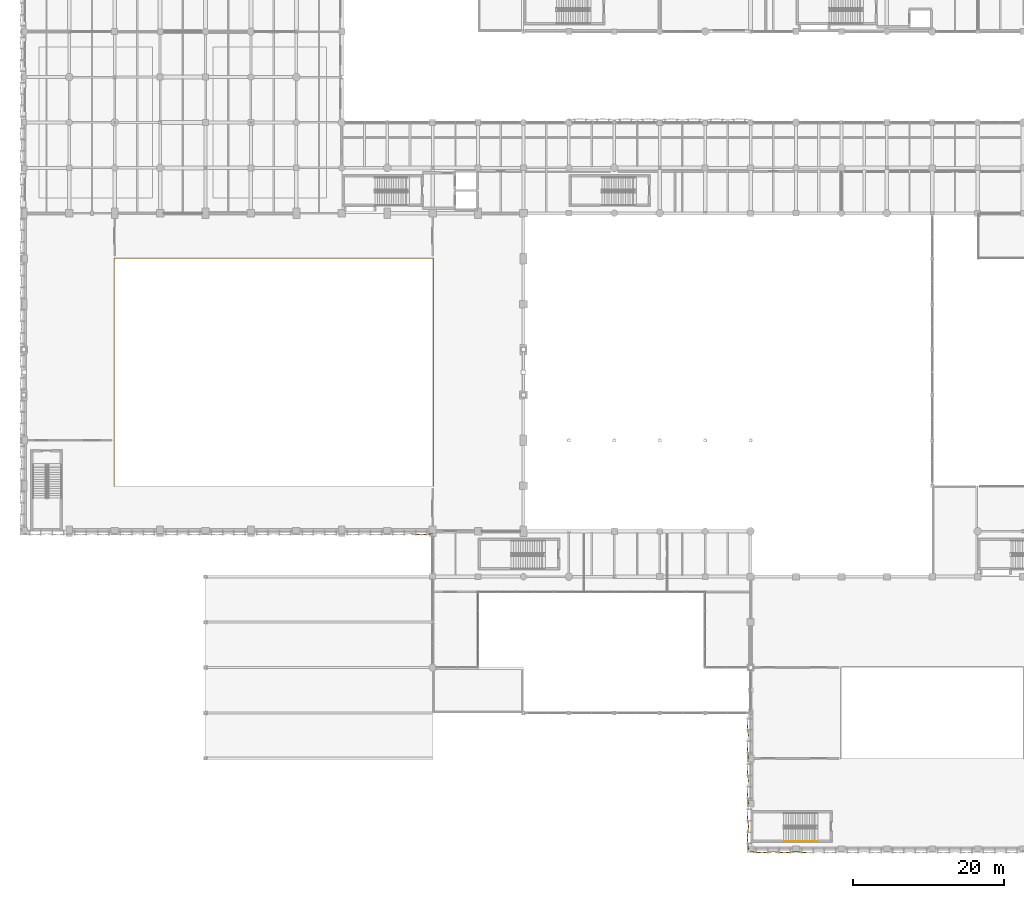
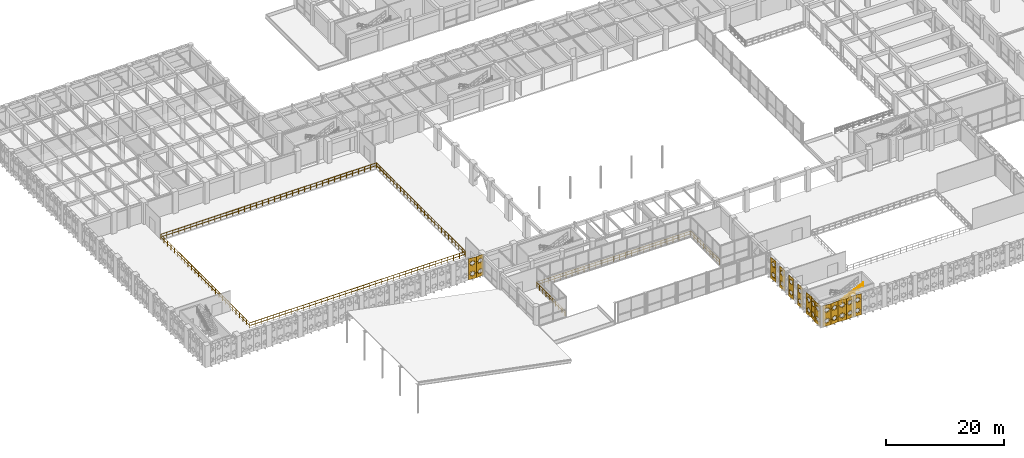
# One storey, part 122 of 133: 14 coverings, 3 railings.
"""IFC4 building model written with IfcOpenShell, lengths in metres."""

from ifc_helpers import new_model, si_unit, direction, frame, origin, origin_2d, place, context, subcontext, project, spatial, polyline, circle, outline, extrude, material, layer, layer_set, type_object, element, save


model = new_model("IFC4")

# Units and contexts
model_context = context("Model", 3, precision=1e-05, world=origin(), true_north=direction((0.0, 1.0)))
body_context = subcontext(model_context, "Body", "Model", "MODEL_VIEW")
ifc_project = project(units=[si_unit("LENGTHUNIT", "METRE"), si_unit("AREAUNIT", "SQUARE_METRE"), si_unit("VOLUMEUNIT", "CUBIC_METRE"), si_unit("PLANEANGLEUNIT", "RADIAN"), si_unit("MASSUNIT", "GRAM", prefix="KILO"), si_unit("THERMODYNAMICTEMPERATUREUNIT", "KELVIN"), si_unit("POWERUNIT", "WATT")], contexts=[model_context])

# Site, building, storey
site_placement = place(None, origin())
site = spatial("IfcSite", under=ifc_project, at=site_placement, CompositionType="ELEMENT")
building_placement = place(site_placement, origin())
building = spatial("IfcBuilding", under=site, at=building_placement, Name="Phaisarnlok Congress Hotel", CompositionType="ELEMENT")
storey_placement = place(building_placement, frame((0.0, 0.0, 6.0)))
storey = spatial("IfcBuildingStorey", under=building, at=storey_placement, Name="L01", CompositionType="ELEMENT", Elevation=6.0)

# Coverings
ifc_material_1 = material(Name="PVDF White Perforated Aluminium Alloy 5052", Category="aluminium")
ifc_layer = layer(ifc_material_1, 0.0400390625, Name="PVDF White Perforated Aluminium Alloy 5052")
ifc_layer_set = layer_set([ifc_layer], Name="PVDF White Perforated Aluminium Alloy 5052")
covering_type = type_object("IfcCoveringType", Name="COV-STAR-FOLD", PredefinedType="CLADDING", material=ifc_layer_set)
for number, where, z_axis, x_axis, name in (
    (1, (51.0, 41.699951171875, 0.06005859375), (-0.104566819602, -0.994517863207, 0.0), (0.994517863207, -0.104566819602, 0.0), "Folded star-perforated hall screen SS-02 (V1S L01)"),
    (2, (52.5, 41.542236328125, 0.06005859375), (0.104566819602, -0.994517863207, 0.0), (0.994517863207, 0.104566819602, 0.0), "Folded star-perforated hall screen SS-02 (V1S L01)"),
    (3, (96.0, -0.300048828125, 0.06005859375), (-0.104566819602, -0.994517863207, 0.0), (0.994517863207, -0.104566819602, 0.0), "Folded star-perforated hall screen SS-02 (V2S L01)"),
    (4, (97.5, -0.457763671875, 0.06005859375), (0.104566819602, -0.994517863207, 0.0), (0.994517863207, 0.104566819602, 0.0), "Folded star-perforated hall screen SS-02 (V2S L01)"),
    (5, (99.0, -0.300048828125, 0.06005859375), (-0.104566819602, -0.994517863207, 0.0), (0.994517863207, -0.104566819602, 0.0), "Folded star-perforated hall screen SS-02 (V2S L01)"),
    (6, (100.5, -0.457763671875, 0.06005859375), (0.104566819602, -0.994517863207, 0.0), (0.994517863207, 0.104566819602, 0.0), "Folded star-perforated hall screen SS-02 (V2S L01)"),
    (7, (102.0, -0.300048828125, 0.06005859375), (-0.104566819602, -0.994517863207, 0.0), (0.994517863207, -0.104566819602, 0.0), "Folded star-perforated hall screen SS-02 (V2S L01)"),
    (8, (95.699951171875, 0.0, 0.06005859375), (0.994517863207, 0.104566819602, 0.0), (-0.104566819602, 0.994517863207, 0.0), "Folded star-perforated hall screen SS-02 (V2W L01)"),
    (9, (95.542236328125, 1.5, 0.06005859375), (0.994517863207, -0.104566819602, 0.0), (0.104566819602, 0.994517863207, 0.0), "Folded star-perforated hall screen SS-02 (V2W L01)"),
    (10, (95.699951171875, 3.0, 0.06005859375), (0.994517863207, 0.104566819602, 0.0), (-0.104566819602, 0.994517863207, 0.0), "Folded star-perforated hall screen SS-02 (V2W L01)"),
    (11, (95.699951171875, 6.0, 0.06005859375), (0.994517863207, 0.104566819602, 0.0), (-0.104566819602, 0.994517863207, 0.0), "Folded star-perforated hall screen SS-02 (V2W L01)"),
    (12, (95.699951171875, 9.0, 0.06005859375), (0.994517863207, 0.104566819602, 0.0), (-0.104566819602, 0.994517863207, 0.0), "Folded star-perforated hall screen SS-02 (V2W L01)"),
    (13, (95.699951171875, 12.0, 0.06005859375), (0.994517863207, 0.104566819602, 0.0), (-0.104566819602, 0.994517863207, 0.0), "Folded star-perforated hall screen SS-02 (V2W L01)"),
    (14, (95.699951171875, 15.0, 0.06005859375), (0.994517863207, 0.104566819602, 0.0), (-0.104566819602, 0.994517863207, 0.0), "Folded star-perforated hall screen SS-02 (V2W L01)"),
):
    element("IfcCovering", number, at=place(storey_placement, frame(where, z_axis=z_axis, x_axis=x_axis)), inside=storey, type_object=covering_type, Name=name, PredefinedType="CLADDING", context=body_context, shape_type="SweptSolid", body=[
        extrude(outline(polyline([(0.0, 0.0), (1.5082685344258453, 0.0), (1.5082685344258453, 4.35986328125), (0.0, 4.35986328125), (0.0, 0.0)]), holes=[polyline([(1.0351, 0.9736), (1.2021, 0.6421), (0.8705, 0.8091), (0.7541, 0.4565), (0.6378, 0.8091), (0.3062, 0.6421), (0.4732, 0.9736), (0.1207, 1.09), (0.4732, 1.2064), (0.3062, 1.5379), (0.6378, 1.3709), (0.7541, 1.7235), (0.8705, 1.3709), (1.2021, 1.5379), (1.0351, 1.2064), (1.3876, 1.09), (1.0351, 0.9736)]), polyline([(1.0351, 3.1536), (1.2021, 2.8221), (0.8705, 2.9891), (0.7541, 2.6365), (0.6378, 2.9891), (0.3062, 2.8221), (0.4732, 3.1536), (0.1207, 3.27), (0.4732, 3.3864), (0.3062, 3.7179), (0.6378, 3.5509), (0.7541, 3.9035), (0.8705, 3.5509), (1.2021, 3.7179), (1.0351, 3.3864), (1.3876, 3.27), (1.0351, 3.1536)])]), origin(), (0.0, 0.0, 1.0), 0.0400390625),
    ])

# Railings
ifc_material_2 = material(Name="Laminated Glass & Stainless Steel Grade 316", Category="steel")
railing_type_1 = type_object("IfcRailingType", Name="RLG-INT-1100", PredefinedType="BALUSTRADE", material=ifc_material_2)
railing_1_placement = place(storey_placement, frame((54.080078125, 47.919921875, 0.0)))
element("IfcRailing", 15, at=railing_1_placement, inside=storey, type_object=railing_type_1, Name="Atrium gallery guard balustrade GD-02 (L01 v1)", PredefinedType="BALUSTRADE", context=body_context, shape_type="SweptSolid", body=[
    extrude(circle(Radius=0.02392578125, at=origin_2d()), frame((0.0, 0.0, 1.076171875), z_axis=(0.0, 1.0, 0.0), x_axis=(-1.0, 0.0, 0.0)), (0.0, 0.0, 1.0), 30.16015625),
    extrude(circle(Radius=0.02392578125, at=origin_2d()), frame((0.0, 0.0, 0.52587890625), z_axis=(0.0, 1.0, 0.0), x_axis=(-1.0, 0.0, 0.0)), (0.0, 0.0, 1.0), 30.16015625),
    extrude(circle(Radius=0.02392578125, at=origin_2d()), frame((0.0, 30.16015625, 1.076171875), z_axis=(-1.0, 0.0, 0.0), x_axis=(0.0, -1.0, 0.0)), (0.0, 0.0, 1.0), 42.16015625),
    extrude(circle(Radius=0.02392578125, at=origin_2d()), frame((0.0, 30.16015625, 0.52587890625), z_axis=(-1.0, 0.0, 0.0), x_axis=(0.0, -1.0, 0.0)), (0.0, 0.0, 1.0), 42.16015625),
    extrude(circle(Radius=0.02392578125, at=origin_2d()), frame((-42.16015625, 30.16015625, 1.076171875), z_axis=(0.0, -1.0, 0.0), x_axis=(1.0, 0.0, 0.0)), (0.0, 0.0, 1.0), 30.16015625),
    extrude(circle(Radius=0.02392578125, at=origin_2d()), frame((-42.16015625, 30.16015625, 0.52587890625), z_axis=(0.0, -1.0, 0.0), x_axis=(1.0, 0.0, 0.0)), (0.0, 0.0, 1.0), 30.16015625),
    extrude(circle(Radius=0.02392578125, at=origin_2d()), frame((-42.16015625, 0.0, 1.076171875), z_axis=(1.0, 0.0, 0.0), x_axis=(0.0, 1.0, 0.0)), (0.0, 0.0, 1.0), 42.16015625),
    extrude(circle(Radius=0.02392578125, at=origin_2d()), frame((-42.16015625, 0.0, 0.52587890625), z_axis=(1.0, 0.0, 0.0), x_axis=(0.0, 1.0, 0.0)), (0.0, 0.0, 1.0), 42.16015625),
    extrude(circle(Radius=0.02099609375, at=origin_2d()), origin(), (0.0, 0.0, 1.0), 1.052001953125),
    extrude(circle(Radius=0.02099609375, at=origin_2d()), frame((0.0, 1.159912109375, 0.0)), (0.0, 0.0, 1.0), 1.052001953125),
    extrude(circle(Radius=0.02099609375, at=origin_2d()), frame((0.0, 2.320068359375, 0.0)), (0.0, 0.0, 1.0), 1.052001953125),
    extrude(circle(Radius=0.02099609375, at=origin_2d()), frame((0.0, 3.47998046875, 0.0)), (0.0, 0.0, 1.0), 1.052001953125),
    extrude(circle(Radius=0.02099609375, at=origin_2d()), frame((0.0, 4.64013671875, 0.0)), (0.0, 0.0, 1.0), 1.052001953125),
    extrude(circle(Radius=0.02099609375, at=origin_2d()), frame((0.0, 5.800048828125, 0.0)), (0.0, 0.0, 1.0), 1.052001953125),
    extrude(circle(Radius=0.02099609375, at=origin_2d()), frame((0.0, 6.9599609375, 0.0)), (0.0, 0.0, 1.0), 1.052001953125),
    extrude(circle(Radius=0.02099609375, at=origin_2d()), frame((0.0, 8.1201171875, 0.0)), (0.0, 0.0, 1.0), 1.052001953125),
    extrude(circle(Radius=0.02099609375, at=origin_2d()), frame((0.0, 9.280029296875, 0.0)), (0.0, 0.0, 1.0), 1.052001953125),
    extrude(circle(Radius=0.02099609375, at=origin_2d()), frame((0.0, 10.43994140625, 0.0)), (0.0, 0.0, 1.0), 1.052001953125),
    extrude(circle(Radius=0.02099609375, at=origin_2d()), frame((0.0, 11.60009765625, 0.0)), (0.0, 0.0, 1.0), 1.052001953125),
    extrude(circle(Radius=0.02099609375, at=origin_2d()), frame((0.0, 12.760009765625, 0.0)), (0.0, 0.0, 1.0), 1.052001953125),
    extrude(circle(Radius=0.02099609375, at=origin_2d()), frame((0.0, 13.920166015625, 0.0)), (0.0, 0.0, 1.0), 1.052001953125),
    extrude(circle(Radius=0.02099609375, at=origin_2d()), frame((0.0, 15.080078125, 0.0)), (0.0, 0.0, 1.0), 1.052001953125),
    extrude(circle(Radius=0.02099609375, at=origin_2d()), frame((0.0, 16.239990234375, 0.0)), (0.0, 0.0, 1.0), 1.052001953125),
    extrude(circle(Radius=0.02099609375, at=origin_2d()), frame((0.0, 17.400146484375, 0.0)), (0.0, 0.0, 1.0), 1.052001953125),
    extrude(circle(Radius=0.02099609375, at=origin_2d()), frame((0.0, 18.56005859375, 0.0)), (0.0, 0.0, 1.0), 1.052001953125),
    extrude(circle(Radius=0.02099609375, at=origin_2d()), frame((0.0, 19.72021484375, 0.0)), (0.0, 0.0, 1.0), 1.052001953125),
    extrude(circle(Radius=0.02099609375, at=origin_2d()), frame((0.0, 20.880126953125, 0.0)), (0.0, 0.0, 1.0), 1.052001953125),
    extrude(circle(Radius=0.02099609375, at=origin_2d()), frame((0.0, 22.0400390625, 0.0)), (0.0, 0.0, 1.0), 1.052001953125),
    extrude(circle(Radius=0.02099609375, at=origin_2d()), frame((0.0, 23.2001953125, 0.0)), (0.0, 0.0, 1.0), 1.052001953125),
    extrude(circle(Radius=0.02099609375, at=origin_2d()), frame((0.0, 24.360107421875, 0.0)), (0.0, 0.0, 1.0), 1.052001953125),
    extrude(circle(Radius=0.02099609375, at=origin_2d()), frame((0.0, 25.52001953125, 0.0)), (0.0, 0.0, 1.0), 1.052001953125),
    extrude(circle(Radius=0.02099609375, at=origin_2d()), frame((0.0, 26.68017578125, 0.0)), (0.0, 0.0, 1.0), 1.052001953125),
    extrude(circle(Radius=0.02099609375, at=origin_2d()), frame((0.0, 27.840087890625, 0.0)), (0.0, 0.0, 1.0), 1.052001953125),
    extrude(circle(Radius=0.02099609375, at=origin_2d()), frame((0.0, 29.000244140625, 0.0)), (0.0, 0.0, 1.0), 1.052001953125),
    extrude(circle(Radius=0.02099609375, at=origin_2d()), frame((0.0, 30.16015625, 0.0)), (0.0, 0.0, 1.0), 1.052001953125),
    extrude(circle(Radius=0.02099609375, at=origin_2d()), frame((-1.171142578125, 30.16015625, 0.0)), (0.0, 0.0, 1.0), 1.052001953125),
    extrude(circle(Radius=0.02099609375, at=origin_2d()), frame((-2.34228515625, 30.16015625, 0.0)), (0.0, 0.0, 1.0), 1.052001953125),
    extrude(circle(Radius=0.02099609375, at=origin_2d()), frame((-3.513427734375, 30.16015625, 0.0)), (0.0, 0.0, 1.0), 1.052001953125),
    extrude(circle(Radius=0.02099609375, at=origin_2d()), frame((-4.6845703125, 30.16015625, 0.0)), (0.0, 0.0, 1.0), 1.052001953125),
    extrude(circle(Radius=0.02099609375, at=origin_2d()), frame((-5.85546875, 30.16015625, 0.0)), (0.0, 0.0, 1.0), 1.052001953125),
    extrude(circle(Radius=0.02099609375, at=origin_2d()), frame((-7.026611328125, 30.16015625, 0.0)), (0.0, 0.0, 1.0), 1.052001953125),
    extrude(circle(Radius=0.02099609375, at=origin_2d()), frame((-8.19775390625, 30.16015625, 0.0)), (0.0, 0.0, 1.0), 1.052001953125),
    extrude(circle(Radius=0.02099609375, at=origin_2d()), frame((-9.368896484375, 30.16015625, 0.0)), (0.0, 0.0, 1.0), 1.052001953125),
    extrude(circle(Radius=0.02099609375, at=origin_2d()), frame((-10.5400390625, 30.16015625, 0.0)), (0.0, 0.0, 1.0), 1.052001953125),
    extrude(circle(Radius=0.02099609375, at=origin_2d()), frame((-11.711181640625, 30.16015625, 0.0)), (0.0, 0.0, 1.0), 1.052001953125),
    extrude(circle(Radius=0.02099609375, at=origin_2d()), frame((-12.88232421875, 30.16015625, 0.0)), (0.0, 0.0, 1.0), 1.052001953125),
    extrude(circle(Radius=0.02099609375, at=origin_2d()), frame((-14.053466796875, 30.16015625, 0.0)), (0.0, 0.0, 1.0), 1.052001953125),
    extrude(circle(Radius=0.02099609375, at=origin_2d()), frame((-15.224609375, 30.16015625, 0.0)), (0.0, 0.0, 1.0), 1.052001953125),
    extrude(circle(Radius=0.02099609375, at=origin_2d()), frame((-16.3955078125, 30.16015625, 0.0)), (0.0, 0.0, 1.0), 1.052001953125),
    extrude(circle(Radius=0.02099609375, at=origin_2d()), frame((-17.566650390625, 30.16015625, 0.0)), (0.0, 0.0, 1.0), 1.052001953125),
    extrude(circle(Radius=0.02099609375, at=origin_2d()), frame((-18.73779296875, 30.16015625, 0.0)), (0.0, 0.0, 1.0), 1.052001953125),
    extrude(circle(Radius=0.02099609375, at=origin_2d()), frame((-19.908935546875, 30.16015625, 0.0)), (0.0, 0.0, 1.0), 1.052001953125),
    extrude(circle(Radius=0.02099609375, at=origin_2d()), frame((-21.080078125, 30.16015625, 0.0)), (0.0, 0.0, 1.0), 1.052001953125),
    extrude(circle(Radius=0.02099609375, at=origin_2d()), frame((-22.251220703125, 30.16015625, 0.0)), (0.0, 0.0, 1.0), 1.052001953125),
    extrude(circle(Radius=0.02099609375, at=origin_2d()), frame((-23.42236328125, 30.16015625, 0.0)), (0.0, 0.0, 1.0), 1.052001953125),
    extrude(circle(Radius=0.02099609375, at=origin_2d()), frame((-24.593505859375, 30.16015625, 0.0)), (0.0, 0.0, 1.0), 1.052001953125),
    extrude(circle(Radius=0.02099609375, at=origin_2d()), frame((-25.7646484375, 30.16015625, 0.0)), (0.0, 0.0, 1.0), 1.052001953125),
    extrude(circle(Radius=0.02099609375, at=origin_2d()), frame((-26.935546875, 30.16015625, 0.0)), (0.0, 0.0, 1.0), 1.052001953125),
    extrude(circle(Radius=0.02099609375, at=origin_2d()), frame((-28.106689453125, 30.16015625, 0.0)), (0.0, 0.0, 1.0), 1.052001953125),
    extrude(circle(Radius=0.02099609375, at=origin_2d()), frame((-29.27783203125, 30.16015625, 0.0)), (0.0, 0.0, 1.0), 1.052001953125),
    extrude(circle(Radius=0.02099609375, at=origin_2d()), frame((-30.448974609375, 30.16015625, 0.0)), (0.0, 0.0, 1.0), 1.052001953125),
    extrude(circle(Radius=0.02099609375, at=origin_2d()), frame((-31.6201171875, 30.16015625, 0.0)), (0.0, 0.0, 1.0), 1.052001953125),
    extrude(circle(Radius=0.02099609375, at=origin_2d()), frame((-32.791259765625, 30.16015625, 0.0)), (0.0, 0.0, 1.0), 1.052001953125),
    extrude(circle(Radius=0.02099609375, at=origin_2d()), frame((-33.96240234375, 30.16015625, 0.0)), (0.0, 0.0, 1.0), 1.052001953125),
    extrude(circle(Radius=0.02099609375, at=origin_2d()), frame((-35.133544921875, 30.16015625, 0.0)), (0.0, 0.0, 1.0), 1.052001953125),
    extrude(circle(Radius=0.02099609375, at=origin_2d()), frame((-36.3046875, 30.16015625, 0.0)), (0.0, 0.0, 1.0), 1.052001953125),
    extrude(circle(Radius=0.02099609375, at=origin_2d()), frame((-37.4755859375, 30.16015625, 0.0)), (0.0, 0.0, 1.0), 1.052001953125),
    extrude(circle(Radius=0.02099609375, at=origin_2d()), frame((-38.646728515625, 30.16015625, 0.0)), (0.0, 0.0, 1.0), 1.052001953125),
    extrude(circle(Radius=0.02099609375, at=origin_2d()), frame((-39.81787109375, 30.16015625, 0.0)), (0.0, 0.0, 1.0), 1.052001953125),
    extrude(circle(Radius=0.02099609375, at=origin_2d()), frame((-40.989013671875, 30.16015625, 0.0)), (0.0, 0.0, 1.0), 1.052001953125),
    extrude(circle(Radius=0.02099609375, at=origin_2d()), frame((-42.16015625, 30.16015625, 0.0)), (0.0, 0.0, 1.0), 1.052001953125),
    extrude(circle(Radius=0.02099609375, at=origin_2d()), frame((-42.16015625, 29.000244140625, 0.0)), (0.0, 0.0, 1.0), 1.052001953125),
    extrude(circle(Radius=0.02099609375, at=origin_2d()), frame((-42.16015625, 27.840087890625, 0.0)), (0.0, 0.0, 1.0), 1.052001953125),
    extrude(circle(Radius=0.02099609375, at=origin_2d()), frame((-42.16015625, 26.68017578125, 0.0)), (0.0, 0.0, 1.0), 1.052001953125),
    extrude(circle(Radius=0.02099609375, at=origin_2d()), frame((-42.16015625, 25.52001953125, 0.0)), (0.0, 0.0, 1.0), 1.052001953125),
    extrude(circle(Radius=0.02099609375, at=origin_2d()), frame((-42.16015625, 24.360107421875, 0.0)), (0.0, 0.0, 1.0), 1.052001953125),
    extrude(circle(Radius=0.02099609375, at=origin_2d()), frame((-42.16015625, 23.2001953125, 0.0)), (0.0, 0.0, 1.0), 1.052001953125),
    extrude(circle(Radius=0.02099609375, at=origin_2d()), frame((-42.16015625, 22.0400390625, 0.0)), (0.0, 0.0, 1.0), 1.052001953125),
    extrude(circle(Radius=0.02099609375, at=origin_2d()), frame((-42.16015625, 20.880126953125, 0.0)), (0.0, 0.0, 1.0), 1.052001953125),
    extrude(circle(Radius=0.02099609375, at=origin_2d()), frame((-42.16015625, 19.72021484375, 0.0)), (0.0, 0.0, 1.0), 1.052001953125),
    extrude(circle(Radius=0.02099609375, at=origin_2d()), frame((-42.16015625, 18.56005859375, 0.0)), (0.0, 0.0, 1.0), 1.052001953125),
    extrude(circle(Radius=0.02099609375, at=origin_2d()), frame((-42.16015625, 17.400146484375, 0.0)), (0.0, 0.0, 1.0), 1.052001953125),
    extrude(circle(Radius=0.02099609375, at=origin_2d()), frame((-42.16015625, 16.239990234375, 0.0)), (0.0, 0.0, 1.0), 1.052001953125),
    extrude(circle(Radius=0.02099609375, at=origin_2d()), frame((-42.16015625, 15.080078125, 0.0)), (0.0, 0.0, 1.0), 1.052001953125),
    extrude(circle(Radius=0.02099609375, at=origin_2d()), frame((-42.16015625, 13.920166015625, 0.0)), (0.0, 0.0, 1.0), 1.052001953125),
    extrude(circle(Radius=0.02099609375, at=origin_2d()), frame((-42.16015625, 12.760009765625, 0.0)), (0.0, 0.0, 1.0), 1.052001953125),
    extrude(circle(Radius=0.02099609375, at=origin_2d()), frame((-42.16015625, 11.60009765625, 0.0)), (0.0, 0.0, 1.0), 1.052001953125),
    extrude(circle(Radius=0.02099609375, at=origin_2d()), frame((-42.16015625, 10.43994140625, 0.0)), (0.0, 0.0, 1.0), 1.052001953125),
    extrude(circle(Radius=0.02099609375, at=origin_2d()), frame((-42.16015625, 9.280029296875, 0.0)), (0.0, 0.0, 1.0), 1.052001953125),
    extrude(circle(Radius=0.02099609375, at=origin_2d()), frame((-42.16015625, 8.1201171875, 0.0)), (0.0, 0.0, 1.0), 1.052001953125),
    extrude(circle(Radius=0.02099609375, at=origin_2d()), frame((-42.16015625, 6.9599609375, 0.0)), (0.0, 0.0, 1.0), 1.052001953125),
    extrude(circle(Radius=0.02099609375, at=origin_2d()), frame((-42.16015625, 5.800048828125, 0.0)), (0.0, 0.0, 1.0), 1.052001953125),
    extrude(circle(Radius=0.02099609375, at=origin_2d()), frame((-42.16015625, 4.64013671875, 0.0)), (0.0, 0.0, 1.0), 1.052001953125),
    extrude(circle(Radius=0.02099609375, at=origin_2d()), frame((-42.16015625, 3.47998046875, 0.0)), (0.0, 0.0, 1.0), 1.052001953125),
    extrude(circle(Radius=0.02099609375, at=origin_2d()), frame((-42.16015625, 2.320068359375, 0.0)), (0.0, 0.0, 1.0), 1.052001953125),
    extrude(circle(Radius=0.02099609375, at=origin_2d()), frame((-42.16015625, 1.159912109375, 0.0)), (0.0, 0.0, 1.0), 1.052001953125),
    extrude(circle(Radius=0.02099609375, at=origin_2d()), frame((-42.16015625, 0.0, 0.0)), (0.0, 0.0, 1.0), 1.052001953125),
    extrude(circle(Radius=0.02099609375, at=origin_2d()), frame((-40.989013671875, 0.0, 0.0)), (0.0, 0.0, 1.0), 1.052001953125),
    extrude(circle(Radius=0.02099609375, at=origin_2d()), frame((-39.81787109375, 0.0, 0.0)), (0.0, 0.0, 1.0), 1.052001953125),
    extrude(circle(Radius=0.02099609375, at=origin_2d()), frame((-38.646728515625, 0.0, 0.0)), (0.0, 0.0, 1.0), 1.052001953125),
    extrude(circle(Radius=0.02099609375, at=origin_2d()), frame((-37.4755859375, 0.0, 0.0)), (0.0, 0.0, 1.0), 1.052001953125),
    extrude(circle(Radius=0.02099609375, at=origin_2d()), frame((-36.3046875, 0.0, 0.0)), (0.0, 0.0, 1.0), 1.052001953125),
    extrude(circle(Radius=0.02099609375, at=origin_2d()), frame((-35.133544921875, 0.0, 0.0)), (0.0, 0.0, 1.0), 1.052001953125),
    extrude(circle(Radius=0.02099609375, at=origin_2d()), frame((-33.96240234375, 0.0, 0.0)), (0.0, 0.0, 1.0), 1.052001953125),
    extrude(circle(Radius=0.02099609375, at=origin_2d()), frame((-32.791259765625, 0.0, 0.0)), (0.0, 0.0, 1.0), 1.052001953125),
    extrude(circle(Radius=0.02099609375, at=origin_2d()), frame((-31.6201171875, 0.0, 0.0)), (0.0, 0.0, 1.0), 1.052001953125),
    extrude(circle(Radius=0.02099609375, at=origin_2d()), frame((-30.448974609375, 0.0, 0.0)), (0.0, 0.0, 1.0), 1.052001953125),
    extrude(circle(Radius=0.02099609375, at=origin_2d()), frame((-29.27783203125, 0.0, 0.0)), (0.0, 0.0, 1.0), 1.052001953125),
    extrude(circle(Radius=0.02099609375, at=origin_2d()), frame((-28.106689453125, 0.0, 0.0)), (0.0, 0.0, 1.0), 1.052001953125),
    extrude(circle(Radius=0.02099609375, at=origin_2d()), frame((-26.935546875, 0.0, 0.0)), (0.0, 0.0, 1.0), 1.052001953125),
    extrude(circle(Radius=0.02099609375, at=origin_2d()), frame((-25.7646484375, 0.0, 0.0)), (0.0, 0.0, 1.0), 1.052001953125),
    extrude(circle(Radius=0.02099609375, at=origin_2d()), frame((-24.593505859375, 0.0, 0.0)), (0.0, 0.0, 1.0), 1.052001953125),
    extrude(circle(Radius=0.02099609375, at=origin_2d()), frame((-23.42236328125, 0.0, 0.0)), (0.0, 0.0, 1.0), 1.052001953125),
    extrude(circle(Radius=0.02099609375, at=origin_2d()), frame((-22.251220703125, 0.0, 0.0)), (0.0, 0.0, 1.0), 1.052001953125),
    extrude(circle(Radius=0.02099609375, at=origin_2d()), frame((-21.080078125, 0.0, 0.0)), (0.0, 0.0, 1.0), 1.052001953125),
    extrude(circle(Radius=0.02099609375, at=origin_2d()), frame((-19.908935546875, 0.0, 0.0)), (0.0, 0.0, 1.0), 1.052001953125),
    extrude(circle(Radius=0.02099609375, at=origin_2d()), frame((-18.73779296875, 0.0, 0.0)), (0.0, 0.0, 1.0), 1.052001953125),
    extrude(circle(Radius=0.02099609375, at=origin_2d()), frame((-17.566650390625, 0.0, 0.0)), (0.0, 0.0, 1.0), 1.052001953125),
    extrude(circle(Radius=0.02099609375, at=origin_2d()), frame((-16.3955078125, 0.0, 0.0)), (0.0, 0.0, 1.0), 1.052001953125),
    extrude(circle(Radius=0.02099609375, at=origin_2d()), frame((-15.224609375, 0.0, 0.0)), (0.0, 0.0, 1.0), 1.052001953125),
    extrude(circle(Radius=0.02099609375, at=origin_2d()), frame((-14.053466796875, 0.0, 0.0)), (0.0, 0.0, 1.0), 1.052001953125),
    extrude(circle(Radius=0.02099609375, at=origin_2d()), frame((-12.88232421875, 0.0, 0.0)), (0.0, 0.0, 1.0), 1.052001953125),
    extrude(circle(Radius=0.02099609375, at=origin_2d()), frame((-11.711181640625, 0.0, 0.0)), (0.0, 0.0, 1.0), 1.052001953125),
    extrude(circle(Radius=0.02099609375, at=origin_2d()), frame((-10.5400390625, 0.0, 0.0)), (0.0, 0.0, 1.0), 1.052001953125),
    extrude(circle(Radius=0.02099609375, at=origin_2d()), frame((-9.368896484375, 0.0, 0.0)), (0.0, 0.0, 1.0), 1.052001953125),
    extrude(circle(Radius=0.02099609375, at=origin_2d()), frame((-8.19775390625, 0.0, 0.0)), (0.0, 0.0, 1.0), 1.052001953125),
    extrude(circle(Radius=0.02099609375, at=origin_2d()), frame((-7.026611328125, 0.0, 0.0)), (0.0, 0.0, 1.0), 1.052001953125),
    extrude(circle(Radius=0.02099609375, at=origin_2d()), frame((-5.85546875, 0.0, 0.0)), (0.0, 0.0, 1.0), 1.052001953125),
    extrude(circle(Radius=0.02099609375, at=origin_2d()), frame((-4.6845703125, 0.0, 0.0)), (0.0, 0.0, 1.0), 1.052001953125),
    extrude(circle(Radius=0.02099609375, at=origin_2d()), frame((-3.513427734375, 0.0, 0.0)), (0.0, 0.0, 1.0), 1.052001953125),
    extrude(circle(Radius=0.02099609375, at=origin_2d()), frame((-2.34228515625, 0.0, 0.0)), (0.0, 0.0, 1.0), 1.052001953125),
    extrude(circle(Radius=0.02099609375, at=origin_2d()), frame((-1.171142578125, 0.0, 0.0)), (0.0, 0.0, 1.0), 1.052001953125),
])
railing_2_placement = place(storey_placement, frame((90.080078125, 24.360107421875, 0.0)))
element("IfcRailing", 16, at=railing_2_placement, inside=storey, type_object=railing_type_1, Name="Atrium gallery guard balustrade GD-02 (L01 v4_s)", PredefinedType="BALUSTRADE", context=body_context, shape_type="SweptSolid", body=[
    extrude(circle(Radius=0.02392578125, at=origin_2d()), frame((0.0, 0.0, 1.076171875), z_axis=(0.0, 1.0, 0.0), x_axis=(-1.0, 0.0, 0.0)), (0.0, 0.0, 1.0), 9.719970703125),
    extrude(circle(Radius=0.02392578125, at=origin_2d()), frame((0.0, 0.0, 0.52587890625), z_axis=(0.0, 1.0, 0.0), x_axis=(-1.0, 0.0, 0.0)), (0.0, 0.0, 1.0), 9.719970703125),
    extrude(circle(Radius=0.02392578125, at=origin_2d()), frame((0.0, 9.719970703125, 1.076171875), z_axis=(-1.0, 0.0, 0.0), x_axis=(0.0, -1.0, 0.0)), (0.0, 0.0, 1.0), 30.16015625),
    extrude(circle(Radius=0.02392578125, at=origin_2d()), frame((0.0, 9.719970703125, 0.52587890625), z_axis=(-1.0, 0.0, 0.0), x_axis=(0.0, -1.0, 0.0)), (0.0, 0.0, 1.0), 30.16015625),
    extrude(circle(Radius=0.02392578125, at=origin_2d()), frame((-30.16015625, 9.719970703125, 1.076171875), z_axis=(0.0, -1.0, 0.0), x_axis=(1.0, 0.0, 0.0)), (0.0, 0.0, 1.0), 9.719970703125),
    extrude(circle(Radius=0.02392578125, at=origin_2d()), frame((-30.16015625, 9.719970703125, 0.52587890625), z_axis=(0.0, -1.0, 0.0), x_axis=(1.0, 0.0, 0.0)), (0.0, 0.0, 1.0), 9.719970703125),
    extrude(circle(Radius=0.02099609375, at=origin_2d()), origin(), (0.0, 0.0, 1.0), 1.052001953125),
    extrude(circle(Radius=0.02099609375, at=origin_2d()), frame((0.0, 1.080078125, 0.0)), (0.0, 0.0, 1.0), 1.052001953125),
    extrude(circle(Radius=0.02099609375, at=origin_2d()), frame((0.0, 2.159912109375, 0.0)), (0.0, 0.0, 1.0), 1.052001953125),
    extrude(circle(Radius=0.02099609375, at=origin_2d()), frame((0.0, 3.239990234375, 0.0)), (0.0, 0.0, 1.0), 1.052001953125),
    extrude(circle(Radius=0.02099609375, at=origin_2d()), frame((0.0, 4.320068359375, 0.0)), (0.0, 0.0, 1.0), 1.052001953125),
    extrude(circle(Radius=0.02099609375, at=origin_2d()), frame((0.0, 5.39990234375, 0.0)), (0.0, 0.0, 1.0), 1.052001953125),
    extrude(circle(Radius=0.02099609375, at=origin_2d()), frame((0.0, 6.47998046875, 0.0)), (0.0, 0.0, 1.0), 1.052001953125),
    extrude(circle(Radius=0.02099609375, at=origin_2d()), frame((0.0, 7.56005859375, 0.0)), (0.0, 0.0, 1.0), 1.052001953125),
    extrude(circle(Radius=0.02099609375, at=origin_2d()), frame((0.0, 8.639892578125, 0.0)), (0.0, 0.0, 1.0), 1.052001953125),
    extrude(circle(Radius=0.02099609375, at=origin_2d()), frame((0.0, 9.719970703125, 0.0)), (0.0, 0.0, 1.0), 1.052001953125),
    extrude(circle(Radius=0.02099609375, at=origin_2d()), frame((-1.159912109375, 9.719970703125, 0.0)), (0.0, 0.0, 1.0), 1.052001953125),
    extrude(circle(Radius=0.02099609375, at=origin_2d()), frame((-2.320068359375, 9.719970703125, 0.0)), (0.0, 0.0, 1.0), 1.052001953125),
    extrude(circle(Radius=0.02099609375, at=origin_2d()), frame((-3.47998046875, 9.719970703125, 0.0)), (0.0, 0.0, 1.0), 1.052001953125),
    extrude(circle(Radius=0.02099609375, at=origin_2d()), frame((-4.64013671875, 9.719970703125, 0.0)), (0.0, 0.0, 1.0), 1.052001953125),
    extrude(circle(Radius=0.02099609375, at=origin_2d()), frame((-5.800048828125, 9.719970703125, 0.0)), (0.0, 0.0, 1.0), 1.052001953125),
    extrude(circle(Radius=0.02099609375, at=origin_2d()), frame((-6.9599609375, 9.719970703125, 0.0)), (0.0, 0.0, 1.0), 1.052001953125),
    extrude(circle(Radius=0.02099609375, at=origin_2d()), frame((-8.1201171875, 9.719970703125, 0.0)), (0.0, 0.0, 1.0), 1.052001953125),
    extrude(circle(Radius=0.02099609375, at=origin_2d()), frame((-9.280029296875, 9.719970703125, 0.0)), (0.0, 0.0, 1.0), 1.052001953125),
    extrude(circle(Radius=0.02099609375, at=origin_2d()), frame((-10.43994140625, 9.719970703125, 0.0)), (0.0, 0.0, 1.0), 1.052001953125),
    extrude(circle(Radius=0.02099609375, at=origin_2d()), frame((-11.60009765625, 9.719970703125, 0.0)), (0.0, 0.0, 1.0), 1.052001953125),
    extrude(circle(Radius=0.02099609375, at=origin_2d()), frame((-12.760009765625, 9.719970703125, 0.0)), (0.0, 0.0, 1.0), 1.052001953125),
    extrude(circle(Radius=0.02099609375, at=origin_2d()), frame((-13.920166015625, 9.719970703125, 0.0)), (0.0, 0.0, 1.0), 1.052001953125),
    extrude(circle(Radius=0.02099609375, at=origin_2d()), frame((-15.080078125, 9.719970703125, 0.0)), (0.0, 0.0, 1.0), 1.052001953125),
    extrude(circle(Radius=0.02099609375, at=origin_2d()), frame((-16.239990234375, 9.719970703125, 0.0)), (0.0, 0.0, 1.0), 1.052001953125),
    extrude(circle(Radius=0.02099609375, at=origin_2d()), frame((-17.400146484375, 9.719970703125, 0.0)), (0.0, 0.0, 1.0), 1.052001953125),
    extrude(circle(Radius=0.02099609375, at=origin_2d()), frame((-18.56005859375, 9.719970703125, 0.0)), (0.0, 0.0, 1.0), 1.052001953125),
    extrude(circle(Radius=0.02099609375, at=origin_2d()), frame((-19.72021484375, 9.719970703125, 0.0)), (0.0, 0.0, 1.0), 1.052001953125),
    extrude(circle(Radius=0.02099609375, at=origin_2d()), frame((-20.880126953125, 9.719970703125, 0.0)), (0.0, 0.0, 1.0), 1.052001953125),
    extrude(circle(Radius=0.02099609375, at=origin_2d()), frame((-22.0400390625, 9.719970703125, 0.0)), (0.0, 0.0, 1.0), 1.052001953125),
    extrude(circle(Radius=0.02099609375, at=origin_2d()), frame((-23.2001953125, 9.719970703125, 0.0)), (0.0, 0.0, 1.0), 1.052001953125),
    extrude(circle(Radius=0.02099609375, at=origin_2d()), frame((-24.360107421875, 9.719970703125, 0.0)), (0.0, 0.0, 1.0), 1.052001953125),
    extrude(circle(Radius=0.02099609375, at=origin_2d()), frame((-25.52001953125, 9.719970703125, 0.0)), (0.0, 0.0, 1.0), 1.052001953125),
    extrude(circle(Radius=0.02099609375, at=origin_2d()), frame((-26.68017578125, 9.719970703125, 0.0)), (0.0, 0.0, 1.0), 1.052001953125),
    extrude(circle(Radius=0.02099609375, at=origin_2d()), frame((-27.840087890625, 9.719970703125, 0.0)), (0.0, 0.0, 1.0), 1.052001953125),
    extrude(circle(Radius=0.02099609375, at=origin_2d()), frame((-29.000244140625, 9.719970703125, 0.0)), (0.0, 0.0, 1.0), 1.052001953125),
    extrude(circle(Radius=0.02099609375, at=origin_2d()), frame((-30.16015625, 9.719970703125, 0.0)), (0.0, 0.0, 1.0), 1.052001953125),
    extrude(circle(Radius=0.02099609375, at=origin_2d()), frame((-30.16015625, 8.639892578125, 0.0)), (0.0, 0.0, 1.0), 1.052001953125),
    extrude(circle(Radius=0.02099609375, at=origin_2d()), frame((-30.16015625, 7.56005859375, 0.0)), (0.0, 0.0, 1.0), 1.052001953125),
    extrude(circle(Radius=0.02099609375, at=origin_2d()), frame((-30.16015625, 6.47998046875, 0.0)), (0.0, 0.0, 1.0), 1.052001953125),
    extrude(circle(Radius=0.02099609375, at=origin_2d()), frame((-30.16015625, 5.39990234375, 0.0)), (0.0, 0.0, 1.0), 1.052001953125),
    extrude(circle(Radius=0.02099609375, at=origin_2d()), frame((-30.16015625, 4.320068359375, 0.0)), (0.0, 0.0, 1.0), 1.052001953125),
    extrude(circle(Radius=0.02099609375, at=origin_2d()), frame((-30.16015625, 3.239990234375, 0.0)), (0.0, 0.0, 1.0), 1.052001953125),
    extrude(circle(Radius=0.02099609375, at=origin_2d()), frame((-30.16015625, 2.159912109375, 0.0)), (0.0, 0.0, 1.0), 1.052001953125),
    extrude(circle(Radius=0.02099609375, at=origin_2d()), frame((-30.16015625, 1.080078125, 0.0)), (0.0, 0.0, 1.0), 1.052001953125),
    extrude(circle(Radius=0.02099609375, at=origin_2d()), frame((-30.16015625, 0.0, 0.0)), (0.0, 0.0, 1.0), 1.052001953125),
])
ifc_material_3 = material(Name="Brushed Stainless Steel Grade 304", Category="steel")
railing_type_2 = type_object("IfcRailingType", Name="RLG-STR-HRAIL", PredefinedType="HANDRAIL", material=ifc_material_3)
railing_3_placement = place(storey_placement, frame((100.3798828125, 1.050048828125, 2.39990234375)))
element("IfcRailing", 17, at=railing_3_placement, inside=storey, type_object=railing_type_2, Name="L01 ST-04 stair handrail 2", PredefinedType="HANDRAIL", context=body_context, shape_type="SweptSolid", body=[
    extrude(circle(Radius=0.02392578125, at=origin_2d()), frame((0.0, 0.0, 0.8759765625), z_axis=(0.900154768424, 0.0, 0.435570192832), x_axis=(0.0, 1.0, 0.0)), (0.0, 0.0, 1.0), 4.821533203125),
    extrude(circle(Radius=0.02392578125, at=origin_2d()), frame((0.0, 0.0, 0.42578125), z_axis=(0.900154768424, 0.0, 0.435570192832), x_axis=(0.0, 1.0, 0.0)), (0.0, 0.0, 1.0), 4.821533203125),
    extrude(circle(Radius=0.02099609375, at=origin_2d()), origin(), (0.0, 0.0, 1.0), 0.851806640625),
    extrude(circle(Radius=0.02099609375, at=origin_2d()), frame((0.867919921875, 0.0, 0.419921875)), (0.0, 0.0, 1.0), 0.851806640625),
    extrude(circle(Radius=0.02099609375, at=origin_2d()), frame((1.736083984375, 0.0, 0.840087890625)), (0.0, 0.0, 1.0), 0.851806640625),
    extrude(circle(Radius=0.02099609375, at=origin_2d()), frame((2.60400390625, 0.0, 1.260009765625)), (0.0, 0.0, 1.0), 0.851806640625),
    extrude(circle(Radius=0.02099609375, at=origin_2d()), frame((3.47216796875, 0.0, 1.68017578125)), (0.0, 0.0, 1.0), 0.851806640625),
    extrude(circle(Radius=0.02099609375, at=origin_2d()), frame((4.340087890625, 0.0, 2.10009765625)), (0.0, 0.0, 1.0), 0.851806640625),
])

save(model, "model.ifc")
